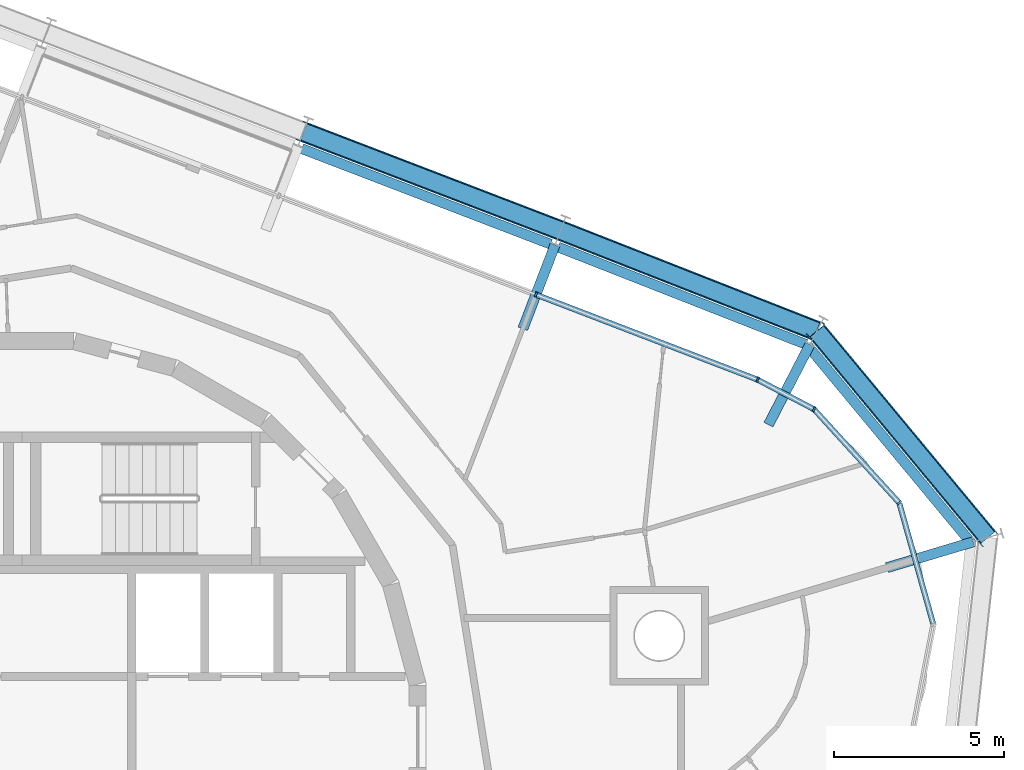
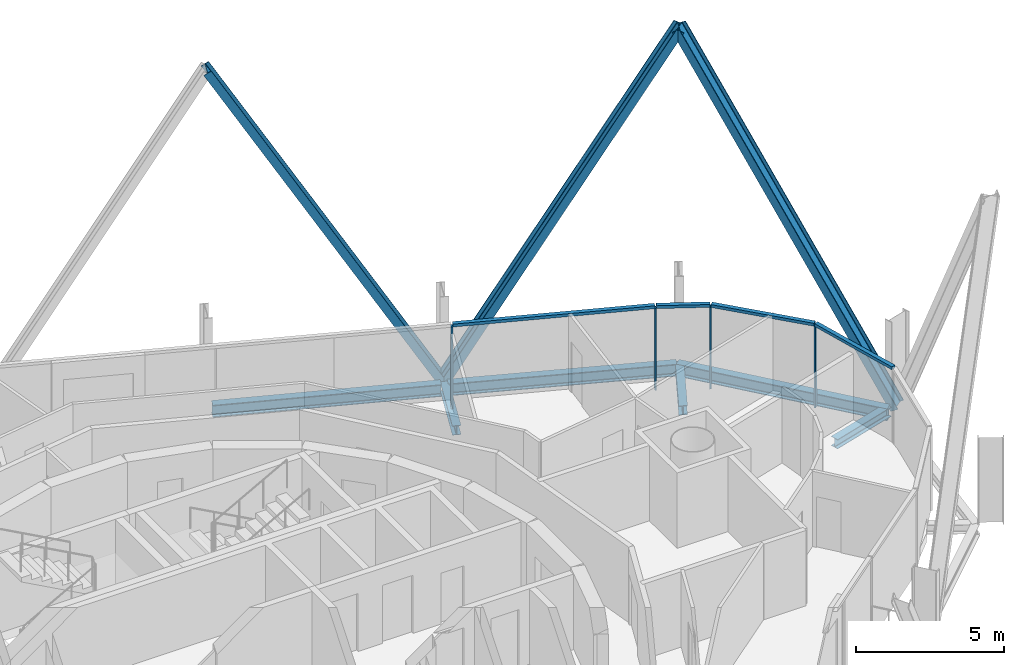
# One storey, part 9 of 18: 11 members, 6 beams, 2 elements without a shape of their own.
"""IFC4 building model written with IfcOpenShell, lengths in metres."""

from ifc_helpers import new_model, si_unit, direction, frame, origin, origin_2d, place, context, subcontext, project, spatial, rectangle, i_section, extrude, material, layer, layer_set, material_profile, profile_set, type_object, element, aggregate, save


model = new_model("IFC4")

# Units and contexts
model_context = context("Model", 3, precision=1e-05, world=origin(), true_north=direction((0.0, 1.0)))
body_context = subcontext(model_context, "Body", "Model", "MODEL_VIEW")
ifc_project = project(units=[si_unit("LENGTHUNIT", "METRE"), si_unit("AREAUNIT", "SQUARE_METRE"), si_unit("VOLUMEUNIT", "CUBIC_METRE"), si_unit("PLANEANGLEUNIT", "RADIAN"), si_unit("MASSUNIT", "GRAM", prefix="KILO")], contexts=[model_context])

# Site, building, storey
site_placement = place(None, origin())
site = spatial("IfcSite", under=ifc_project, at=site_placement, CompositionType="ELEMENT")
building_placement = place(site_placement, origin())
building = spatial("IfcBuilding", under=site, at=building_placement, Name="Spindle Arch Residences", CompositionType="ELEMENT")
storey_placement = place(building_placement, frame((0.0, 0.0, 277.39990234375)))
storey = spatial("IfcBuildingStorey", under=building, at=storey_placement, Name="L71", CompositionType="ELEMENT", Elevation=277.39990234375)

# Curtain wall, members
ifc_material_1 = material(Name="Aluminium bronze unitised frame with tinted glass", Category="aluminium")
ifc_layer_1 = layer(ifc_material_1, 0.159912109375)
ifc_layer_set_1 = layer_set([ifc_layer_1], Name="CW-D corner wall on the fillet arcs")
curtain_wall_type_1 = type_object("IfcCurtainWallType", Name="CW-D corner wall on the fillet arcs", PredefinedType="NOTDEFINED", material=ifc_layer_set_1)
curtain_wall_1_placement = place(storey_placement, origin())
curtain_wall_1 = element("IfcCurtainWall", 1, at=curtain_wall_1_placement, inside=storey, type_object=curtain_wall_type_1, Name="CW-D L71 run 1", PredefinedType="NOTDEFINED")
ifc_material_2 = material(Name="Aluminium bronze anodised mullion", Category="aluminium")
ifc_material_profile_1 = material_profile(ifc_material_2, rectangle(XDim=0.159912109375, YDim=0.06005859375, at=origin_2d()), Name="MU 60x160")
ifc_profile_set_1 = profile_set([ifc_material_profile_1], Name="Aluminium bronze anodised mullion")
member_type_1 = type_object("IfcMemberType", Name="Bronze mullion 60x160", PredefinedType="MULLION", material=ifc_profile_set_1)
member_1_placement = place(storey_placement, frame((25.826171875, 6.888427734375, -0.3798828125), z_axis=(0.0, 0.0, 1.0), x_axis=(-0.73923942464, -0.673442702134, 0.0)))
member_1 = element("IfcMember", 2, at=member_1_placement, type_object=member_type_1, Name="CW-D mullion 04", PredefinedType="MULLION", context=body_context, shape_type="SweptSolid", body=[
    extrude(rectangle(XDim=0.159912109375, YDim=0.06005859375, at=origin_2d()), origin(), (0.0, 0.0, 1.0), 3.3798828125),
])
member_2_placement = place(storey_placement, frame((23.316650390625, 9.643310546875, -0.3798828125), z_axis=(0.0, 0.0, 1.0), x_axis=(-0.464326860783, -0.885663912754, 0.0)))
member_2 = element("IfcMember", 3, at=member_2_placement, type_object=member_type_1, Name="CW-D mullion 05", PredefinedType="MULLION", context=body_context, shape_type="SweptSolid", body=[
    extrude(rectangle(XDim=0.159912109375, YDim=0.06005859375, at=origin_2d()), origin(), (0.0, 0.0, 1.0), 3.3798828125),
])
member_3_placement = place(storey_placement, frame((21.655029296875, 10.514404296875, -0.3798828125), z_axis=(0.0, 0.0, 1.0), x_axis=(-0.358367949545, -0.933580426497, 0.0)))
member_3 = element("IfcMember", 4, at=member_3_placement, type_object=member_type_1, Name="CW-D mullion 06", PredefinedType="MULLION", context=body_context, shape_type="SweptSolid", body=[
    extrude(rectangle(XDim=0.159912109375, YDim=0.06005859375, at=origin_2d()), origin(), (0.0, 0.0, 1.0), 3.3798828125),
])

# Curtain wall, member
ifc_material_3 = material(Name="Aluminium bronze unitised frame with tinted glass", Category="aluminium")
ifc_layer_2 = layer(ifc_material_3, 0.159912109375)
ifc_layer_set_2 = layer_set([ifc_layer_2], Name="CW-C typical residential unitised wall")
curtain_wall_type_2 = type_object("IfcCurtainWallType", Name="CW-C typical residential unitised wall", PredefinedType="NOTDEFINED", material=ifc_layer_set_2)
curtain_wall_2_placement = place(storey_placement, origin())
curtain_wall_2 = element("IfcCurtainWall", 5, at=curtain_wall_2_placement, inside=storey, type_object=curtain_wall_type_2, Name="CW-C L71 run 2", PredefinedType="NOTDEFINED")
member_4_placement = place(storey_placement, frame((15.12939453125, 13.01953125, -0.3798828125), z_axis=(0.0, 0.0, 1.0), x_axis=(-0.358367949545, -0.933580426497, 0.0)))
member_4 = element("IfcMember", 6, at=member_4_placement, type_object=member_type_1, Name="CW-C mullion 05", PredefinedType="MULLION", context=body_context, shape_type="SweptSolid", body=[
    extrude(rectangle(XDim=0.159912109375, YDim=0.06005859375, at=origin_2d()), origin(), (0.0, 0.0, 1.0), 3.3798828125),
])
aggregate(curtain_wall_2, [member_4])

# Member
ifc_material_4 = material(Name="Aluminium bronze anodised transom", Category="aluminium")
ifc_material_profile_2 = material_profile(ifc_material_4, rectangle(XDim=0.159912109375, YDim=0.1201171875, at=origin_2d()), Name="TR 120x160")
ifc_profile_set_2 = profile_set([ifc_material_profile_2], Name="Aluminium bronze anodised transom")
member_type_2 = type_object("IfcMemberType", Name="Bronze transom 120x160", PredefinedType="USERDEFINED", material=ifc_profile_set_2)
member_5_placement = place(storey_placement, frame((26.824462890625, 3.3291015625, 3.06005859375), z_axis=(-0.26999542292, 0.962861605633, 0.0), x_axis=(-0.962861605633, -0.26999542292, 0.0)))
member_5 = element("IfcMember", 7, at=member_5_placement, type_object=member_type_2, Name="CW-D transom 03", ObjectType="TRANSOM", PredefinedType="USERDEFINED", context=body_context, shape_type="SweptSolid", body=[
    extrude(rectangle(XDim=0.159912109375, YDim=0.1201171875, at=origin_2d()), origin(), (0.0, 0.0, 1.0), 3.666748046875),
])

member_6_placement = place(storey_placement, frame((25.80615234375, 6.91064453125, 3.06005859375), z_axis=(-0.673451190177, 0.739231691995, 0.0), x_axis=(-0.739231691995, -0.673451190177, 0.0)))
member_6 = element("IfcMember", 8, at=member_6_placement, type_object=member_type_2, Name="CW-D transom 04", ObjectType="TRANSOM", PredefinedType="USERDEFINED", context=body_context, shape_type="SweptSolid", body=[
    extrude(rectangle(XDim=0.159912109375, YDim=0.1201171875, at=origin_2d()), origin(), (0.0, 0.0, 1.0), 3.6669921875),
])

member_7_placement = place(storey_placement, frame((23.2900390625, 9.6572265625, 3.06005859375), z_axis=(-0.885657808089, 0.464338504726, 0.0), x_axis=(-0.464338504726, -0.885657808089, 0.0)))
member_7 = element("IfcMember", 9, at=member_7_placement, type_object=member_type_2, Name="CW-D transom 05", ObjectType="TRANSOM", PredefinedType="USERDEFINED", context=body_context, shape_type="SweptSolid", body=[
    extrude(rectangle(XDim=0.159912109375, YDim=0.1201171875, at=origin_2d()), origin(), (0.0, 0.0, 1.0), 1.816162109375),
])

member_8_placement = place(storey_placement, frame((21.626953125, 10.525390625, 3.06005859375), z_axis=(-0.933580580487, 0.358367548387, 0.0), x_axis=(-0.358367548387, -0.933580580487, 0.0)))
member_8 = element("IfcMember", 10, at=member_8_placement, type_object=member_type_2, Name="CW-D transom 06", ObjectType="TRANSOM", PredefinedType="USERDEFINED", context=body_context, shape_type="SweptSolid", body=[
    extrude(rectangle(XDim=0.159912109375, YDim=0.1201171875, at=origin_2d()), origin(), (0.0, 0.0, 1.0), 6.9296875),
])

aggregate(curtain_wall_1, [member_5, member_1, member_6, member_2, member_7, member_3, member_8])

# Members
ifc_material_5 = material(Name="Steel S460ML, intumescent coating R 240", Category="steel")
ifc_material_profile_3 = material_profile(ifc_material_5, i_section(OverallWidth=0.300048828125, OverallDepth=0.60009765625, WebThickness=0.015380859375, FlangeThickness=0.030029296875, FilletRadius=0.027099609375, at=origin_2d()), Name="HEB 600")
ifc_profile_set_3 = profile_set([ifc_material_profile_3], Name="Steel S460ML, intumescent coating R 240")
member_type_3 = type_object("IfcMemberType", Name="Diagrid diagonal HEB 600", PredefinedType="BRACE", material=ifc_profile_set_3)
member_9_placement = place(storey_placement, frame((28.43505859375, 5.86767578125, -0.6298828125), z_axis=(-0.31731022656, 0.382722489347, 0.867662213231), x_axis=(0.553788144054, -0.6679494051, 0.497154185069)))
element("IfcMember", 11, at=member_9_placement, inside=storey, type_object=member_type_3, Name="Diagrid diagonal 7.2.4", PredefinedType="BRACE", context=body_context, shape_type="SweptSolid", body=[
    extrude(i_section(OverallWidth=0.300048828125, OverallDepth=0.60009765625, WebThickness=0.015380859375, FlangeThickness=0.030029296875, FilletRadius=0.027099609375, at=origin_2d()), origin(), (0.0, 0.0, 1.0), 15.87353515625),
])
member_10_placement = place(storey_placement, frame((15.853515625, 14.9052734375, -0.6298828125), z_axis=(0.472103203489, -0.185370361167, 0.861833159293), x_axis=(-0.802209596637, 0.314985964003, 0.507191882372)))
element("IfcMember", 12, at=member_10_placement, inside=storey, type_object=member_type_3, Name="Diagrid diagonal 7.2.5", PredefinedType="BRACE", context=body_context, shape_type="SweptSolid", body=[
    extrude(i_section(OverallWidth=0.300048828125, OverallDepth=0.60009765625, WebThickness=0.015380859375, FlangeThickness=0.030029296875, FilletRadius=0.027099609375, at=origin_2d()), origin(), (0.0, 0.0, 1.0), 15.98095703125),
])
member_11_placement = place(storey_placement, frame((15.853515625, 14.9052734375, -0.6298828125), z_axis=(-0.473610116689, 0.181796993895, 0.861767550086), x_axis=(0.804532099781, -0.308822620291, 0.507303350688)))
element("IfcMember", 13, at=member_11_placement, inside=storey, type_object=member_type_3, Name="Diagrid diagonal 7.2.6", PredefinedType="BRACE", context=body_context, shape_type="SweptSolid", body=[
    extrude(i_section(OverallWidth=0.300048828125, OverallDepth=0.60009765625, WebThickness=0.015380859375, FlangeThickness=0.030029296875, FilletRadius=0.027099609375, at=origin_2d()), origin(), (0.0, 0.0, 1.0), 15.982177734375),
])

# Beams
ifc_material_6 = material(Name="Steel S460ML, intumescent coating R 120", Category="steel")
ifc_material_profile_4 = material_profile(ifc_material_6, i_section(OverallWidth=0.300048828125, OverallDepth=0.5, WebThickness=0.014404296875, FlangeThickness=0.028076171875, FilletRadius=0.027099609375, at=origin_2d()), Name="HEB 500")
ifc_profile_set_4 = profile_set([ifc_material_profile_4], Name="Steel S460ML, intumescent coating R 120")
beam_type_1 = type_object("IfcBeamType", Name="Exoskeleton edge beam HEB 500", PredefinedType="BEAM", material=ifc_profile_set_4)
beam_1_placement = place(storey_placement, frame((27.982666015625, 5.661376953125, -0.6298828125), z_axis=(-0.638234616569, 0.769841915079, 0.0), x_axis=(-0.769841915079, -0.638234616569, 0.0)))
element("IfcBeam", 14, at=beam_1_placement, inside=storey, type_object=beam_type_1, Name="Exoskeleton edge beam 4", PredefinedType="BEAM", context=body_context, shape_type="SweptSolid", body=[
    extrude(i_section(OverallWidth=0.300048828125, OverallDepth=0.5, WebThickness=0.014404296875, FlangeThickness=0.028076171875, FilletRadius=0.027099609375, at=origin_2d()), origin(), (0.0, 0.0, 1.0), 7.6318359375),
])
beam_2_placement = place(storey_placement, frame((23.080810546875, 11.552490234375, -0.6298828125), z_axis=(-0.930820691929, 0.365476181818, 0.0), x_axis=(-0.365476181818, -0.930820691929, 0.0)))
element("IfcBeam", 15, at=beam_2_placement, inside=storey, type_object=beam_type_1, Name="Exoskeleton edge beam 5", PredefinedType="BEAM", context=body_context, shape_type="SweptSolid", body=[
    extrude(i_section(OverallWidth=0.300048828125, OverallDepth=0.5, WebThickness=0.014404296875, FlangeThickness=0.028076171875, FilletRadius=0.027099609375, at=origin_2d()), origin(), (0.0, 0.0, 1.0), 7.845703125),
])
beam_3_placement = place(storey_placement, frame((15.56005859375, 14.50390625, -0.6298828125), z_axis=(-0.933584338194, 0.358357759061, 0.0), x_axis=(-0.358357759061, -0.933584338194, 0.0)))
element("IfcBeam", 16, at=beam_3_placement, inside=storey, type_object=beam_type_1, Name="Exoskeleton edge beam 6", PredefinedType="BEAM", context=body_context, shape_type="SweptSolid", body=[
    extrude(i_section(OverallWidth=0.300048828125, OverallDepth=0.5, WebThickness=0.014404296875, FlangeThickness=0.028076171875, FilletRadius=0.027099609375, at=origin_2d()), origin(), (0.0, 0.0, 1.0), 7.84765625),
])
ifc_material_7 = material(Name="Steel S460ML, intumescent coating R 120", Category="steel")
ifc_material_profile_5 = material_profile(ifc_material_7, i_section(OverallWidth=0.300048828125, OverallDepth=0.389892578125, WebThickness=0.010986328125, FlangeThickness=0.01904296875, FilletRadius=0.027099609375, at=origin_2d()), Name="HEA 400")
ifc_profile_set_5 = profile_set([ifc_material_profile_5], Name="Steel S460ML, intumescent coating R 120")
beam_type_2 = type_object("IfcBeamType", Name="Floor outrigger HEA 400", PredefinedType="BEAM", material=ifc_profile_set_5)
for number, where, z_axis, x_axis, name in (
    (17, (28.00390625, 5.738525390625, -0.574951171875), (-0.958013730909, -0.286722324542, 0.0), (0.286722324542, -0.958013730909, 0.0), "Floor outrigger 4"),
    (18, (23.19140625, 11.543212890625, -0.574951171875), (-0.459260001196, -0.888301891983, 0.0), (0.888301891983, -0.459260001196, 0.0), "Floor outrigger 5"),
    (19, (15.692138671875, 14.485107421875, -0.574951171875), (-0.358392499624, -0.933571002234, 0.0), (0.933571002234, -0.358392499624, 0.0), "Floor outrigger 6"),
):
    element("IfcBeam", number, at=place(storey_placement, frame(where, z_axis=z_axis, x_axis=x_axis)), inside=storey, type_object=beam_type_2, Name=name, PredefinedType="BEAM", context=body_context, shape_type="SweptSolid", body=[
        extrude(i_section(OverallWidth=0.300048828125, OverallDepth=0.389892578125, WebThickness=0.010986328125, FlangeThickness=0.01904296875, FilletRadius=0.027099609375, at=origin_2d()), origin(), (0.0, 0.0, 1.0), 2.64990234375),
    ])

save(model, "model.ifc")
